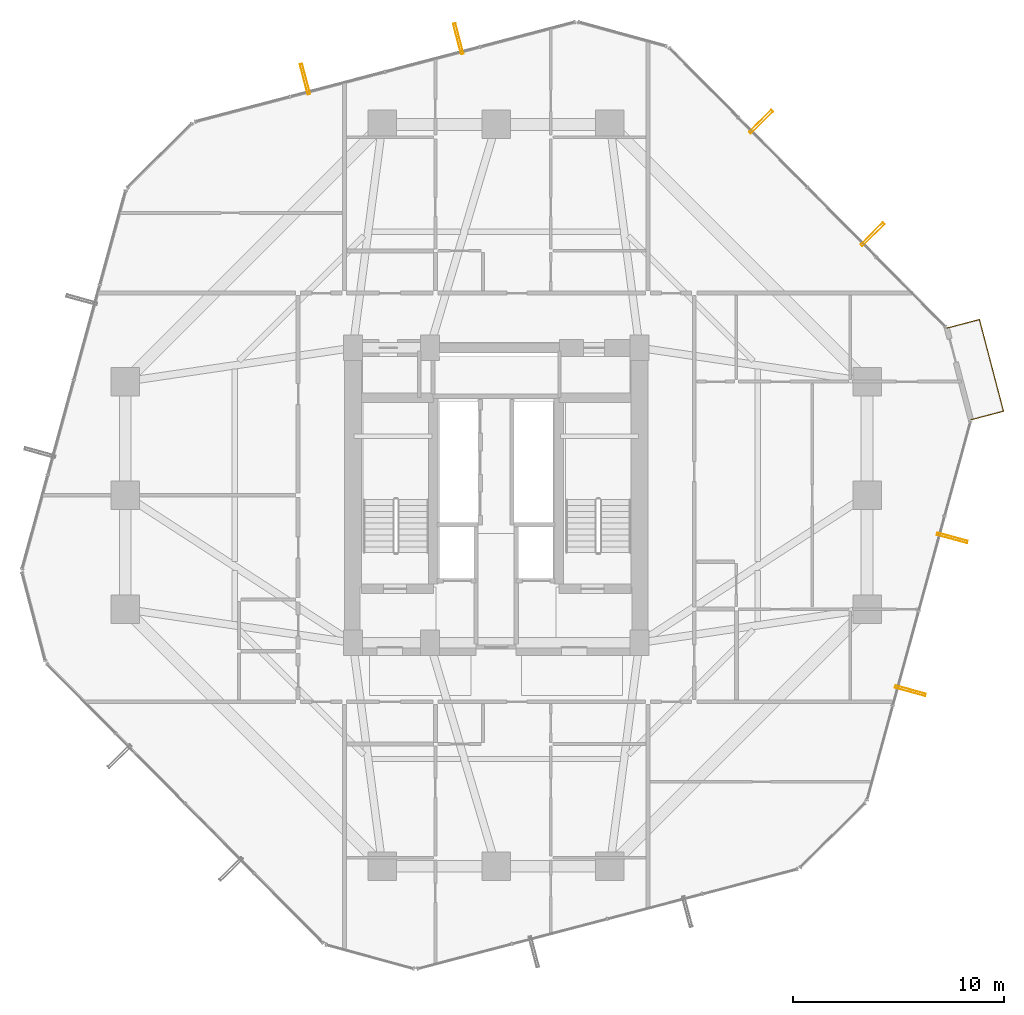
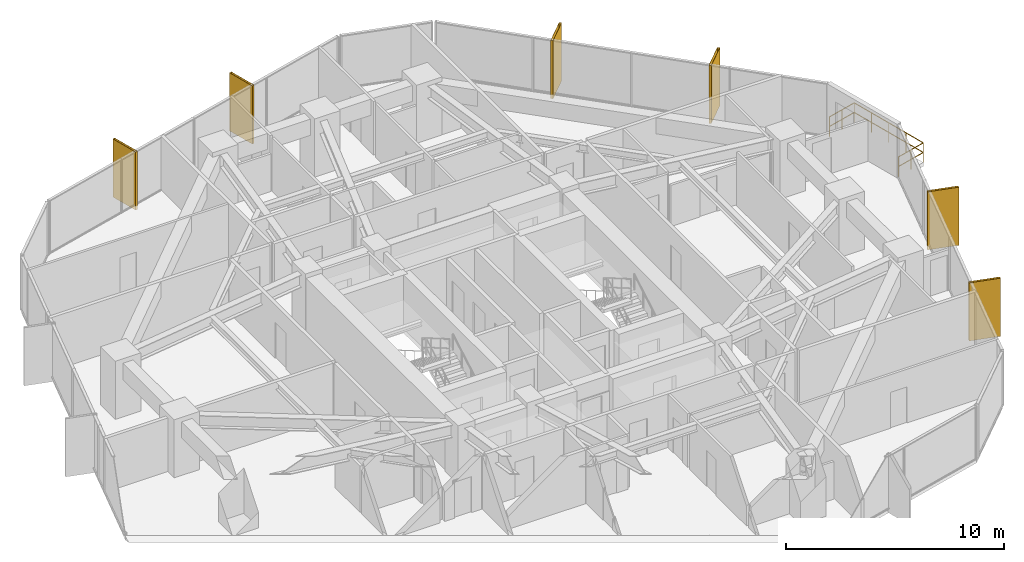
# One storey, part 39 of 39: 6 shading devices, 1 railing.
"""IFC4 building model written with IfcOpenShell, lengths in metres."""

import ifcopenshell
import ifcopenshell.guid

model = None  # the IFC model being written
_history = None  # IfcOwnerHistory: only IFC2X3 demands one
_inside = {}  # id of a spatial element -> (the spatial element, [elements in it])
_under = {}  # id of a project, library or spatial element -> (it, [spatial elements below it])
_declared = {}  # id of a project -> (the project, [libraries it declares])
_typed = {}  # id of a type object -> (the type object, [elements of that type])
_made_of = {}  # id of a material, layer set ... -> (it, [elements and type objects made of it])


def new_model(schema):
    """Start an empty IFC model of exactly this schema.

    Asked for "IFC4X3", IfcOpenShell would pick the latest addendum, in which some entities
    have other attributes; the version numbers below select the first issue.
    IFC2X3 requires an IfcOwnerHistory on every rooted entity: one is made here for all.
    """
    global model, _history
    if schema == "IFC4X3":
        model = ifcopenshell.file(schema_version=(4, 3, 0, 0))
    else:
        model = ifcopenshell.file(schema=schema)
    _inside.clear()
    _under.clear()
    _declared.clear()
    _typed.clear()
    _made_of.clear()
    _history = None
    if model.schema == "IFC2X3":
        org = make("IfcOrganization", Name="unknown")
        user = make(
            "IfcPersonAndOrganization",
            ThePerson=make("IfcPerson", FamilyName="unknown"),
            TheOrganization=org,
        )
        app = make(
            "IfcApplication",
            ApplicationDeveloper=org,
            Version="unknown",
            ApplicationFullName="unknown",
            ApplicationIdentifier="unknown",
        )
        _history = make(
            "IfcOwnerHistory",
            OwningUser=user,
            OwningApplication=app,
            ChangeAction="ADDED",
            CreationDate=0,
        )
    return model


def make(cls, **values):
    """One entity of the class cls with the attributes given. An attribute that is None is left unset."""
    return model.create_entity(
        cls, **{name: value for name, value in values.items() if value is not None}
    )


def rooted(cls, **values):
    """An entity with a GlobalId (a new one), such as an element, a storey or a relation."""
    return make(cls, GlobalId=ifcopenshell.guid.new(), OwnerHistory=_history, **values)


def si_unit(unit_type, name, prefix=None):
    """IfcSIUnit, for example si_unit("LENGTHUNIT", "METRE", prefix="MILLI")."""
    return make("IfcSIUnit", UnitType=unit_type, Prefix=prefix, Name=name)


def assignment(units):
    """IfcUnitAssignment: the units of a project."""
    return None if units is None else make("IfcUnitAssignment", Units=units)


def point(xyz):
    """IfcCartesianPoint."""
    return None if xyz is None else make("IfcCartesianPoint", Coordinates=xyz)


def direction(xyz):
    """IfcDirection."""
    return None if xyz is None else make("IfcDirection", DirectionRatios=xyz)


def frame(location, z_axis=None, x_axis=None):
    """IfcAxis2Placement3D, a coordinate frame: its origin and axes. An axis left out is left unset."""
    return make(
        "IfcAxis2Placement3D",
        Location=point(location),
        Axis=direction(z_axis),
        RefDirection=direction(x_axis),
    )


def frame_2d(location, x_axis=None):
    """IfcAxis2Placement2D, a coordinate frame in the plane: its origin and x axis."""
    return make(
        "IfcAxis2Placement2D", Location=point(location), RefDirection=direction(x_axis)
    )


def origin():
    """The frame at (0, 0, 0) with its axes left unset."""
    return frame((0.0, 0.0, 0.0))


def origin_2d():
    """The frame at (0, 0) in the plane with its x axis left unset."""
    return frame_2d((0.0, 0.0))


def place(relative_to, where):
    """IfcLocalPlacement: puts the frame where relative to a parent placement (None: the world)."""
    return make(
        "IfcLocalPlacement", PlacementRelTo=relative_to, RelativePlacement=where
    )


def context(
    kind, dimensions, precision=None, world=None, true_north=None, identifier=None
):
    """IfcGeometricRepresentationContext, for example the 3D "Model" context."""
    return make(
        "IfcGeometricRepresentationContext",
        ContextIdentifier=identifier,
        ContextType=kind,
        CoordinateSpaceDimension=dimensions,
        Precision=precision,
        WorldCoordinateSystem=world,
        TrueNorth=true_north,
    )


def subcontext(parent, identifier, kind, view, scale=None):
    """IfcGeometricRepresentationSubContext, for example "Body" below "Model"."""
    return make(
        "IfcGeometricRepresentationSubContext",
        ContextIdentifier=identifier,
        ContextType=kind,
        ParentContext=parent,
        TargetScale=scale,
        TargetView=view,
    )


def project(units=None, contexts=None):
    """IfcProject with its units and contexts."""
    return rooted(
        "IfcProject",
        Name="project",
        RepresentationContexts=contexts,
        UnitsInContext=assignment(units),
    )


def spatial(cls, under=None, at=None, **own):
    """A site, building, storey or space (cls), placed at a placement, below another one or the project."""
    s = rooted(cls, ObjectPlacement=at, **own)
    if under is not None:
        _under.setdefault(under.id(), (under, []))[1].append(s)
    return s


def profile(cls, at=None, kind="AREA", **sizes):
    """A parametric profile (cls). Its sizes go by their IFC names, for example OverallWidth=200.0."""
    return make(cls, ProfileType=kind, Position=at, **sizes)


def hollow_rectangle(**sizes):
    """IfcRectangleHollowProfileDef."""
    return profile("IfcRectangleHollowProfileDef", **sizes)


def circle(**sizes):
    """IfcCircleProfileDef."""
    return profile("IfcCircleProfileDef", **sizes)


def extrude(swept, where, along, depth):
    """IfcExtrudedAreaSolid: the profile swept, set in the frame where, extruded along a direction by depth."""
    return make(
        "IfcExtrudedAreaSolid",
        SweptArea=swept,
        Position=where,
        ExtrudedDirection=direction(along),
        Depth=depth,
    )


def shape(context_of_items, identifier, shape_type, items):
    """IfcShapeRepresentation: the items that make up one representation, for example the "Body"."""
    return make(
        "IfcShapeRepresentation",
        ContextOfItems=context_of_items,
        RepresentationIdentifier=identifier,
        RepresentationType=shape_type,
        Items=items,
    )


def material(Name=None, Category=None):
    """IfcMaterial."""
    return make("IfcMaterial", Name=Name, Category=Category)


def material_profile(
    of_material, cross_section, Name=None, Category=None, Priority=None
):
    """IfcMaterialProfile: a cross section and its material."""
    return make(
        "IfcMaterialProfile",
        Name=Name,
        Material=of_material,
        Profile=cross_section,
        Priority=Priority,
        Category=Category,
    )


def profile_set(profiles, Name=None, composite=None):
    """IfcMaterialProfileSet."""
    return make(
        "IfcMaterialProfileSet",
        Name=Name,
        MaterialProfiles=profiles,
        CompositeProfile=composite,
    )


def made_of(thing, what):
    """Note that an element or type object is made of a material, layer set ...; save() writes the relation."""
    if what is not None:
        _made_of.setdefault(what.id(), (what, []))[1].append(thing)
    return thing


def type_object(cls, material=None, **own):
    """A type object (cls), such as IfcWallType, which elements share."""
    return made_of(rooted(cls, **own), material)


def element(
    cls,
    number,
    at=None,
    inside=None,
    cuts=None,
    type_object=None,
    material=None,
    context=None,
    identifier="Body",
    shape_type=None,
    held_by="IfcProductDefinitionShape",
    body=None,
    shapes=None,
    **own,
):
    """One element of the class cls, such as IfcWall. Its Tag is "e" and its number.

    at: its placement. inside: the storey or other place that contains it. cuts: it is an
    opening in that element (IfcRelVoidsElement). A single representation is given by context,
    identifier, shape_type and body (its items); several are given by shapes. held_by: the class
    of the entity that holds the representations. save() writes the other relations.
    """
    e = rooted(cls, Tag="e%d" % number, ObjectPlacement=at, **own)
    if body is not None:
        shapes = [shape(context, identifier, shape_type, body)]
    if shapes is not None:
        e.Representation = make(held_by, Representations=shapes)
    if inside is not None:
        _inside.setdefault(inside.id(), (inside, []))[1].append(e)
    if cuts is not None:
        rooted(
            "IfcRelVoidsElement", RelatingBuildingElement=cuts, RelatedOpeningElement=e
        )
    if type_object is not None:
        _typed.setdefault(type_object.id(), (type_object, []))[1].append(e)
    return made_of(e, material)


def aggregate(whole, parts):
    """IfcRelAggregates: a whole, such as a stair, and the parts it consists of."""
    return rooted("IfcRelAggregates", RelatingObject=whole, RelatedObjects=parts)


def save(model, path):
    """Write the relations noted so far, then the file.

    IfcRelAggregates (storeys below a building ...), IfcRelContainedInSpatialStructure (elements
    in a storey), IfcRelDefinesByType, IfcRelAssociatesMaterial and IfcRelDeclares: one each for
    every whole, place, type object, material and project.
    """
    for whole, parts in _under.values():
        aggregate(whole, parts)
    for where, things in _inside.values():
        rooted(
            "IfcRelContainedInSpatialStructure",
            RelatedElements=things,
            RelatingStructure=where,
        )
    for kind, things in _typed.values():
        rooted("IfcRelDefinesByType", RelatedObjects=things, RelatingType=kind)
    for what, things in _made_of.values():
        rooted("IfcRelAssociatesMaterial", RelatedObjects=things, RelatingMaterial=what)
    for by, libraries in _declared.values():
        rooted("IfcRelDeclares", RelatingContext=by, RelatedDefinitions=libraries)
    model.write(path)


model = new_model("IFC4")

# Units and contexts
model_context = context("Model", 3, precision=1e-05, world=origin(), true_north=direction((0.0, 1.0)))
body_context = subcontext(model_context, "Body", "Model", "MODEL_VIEW")
ifc_project = project(units=[si_unit("LENGTHUNIT", "METRE"), si_unit("AREAUNIT", "SQUARE_METRE"), si_unit("VOLUMEUNIT", "CUBIC_METRE"), si_unit("PLANEANGLEUNIT", "RADIAN"), si_unit("MASSUNIT", "GRAM", prefix="KILO")], contexts=[model_context])

# Site, building, storey
site_placement = place(None, origin())
site = spatial("IfcSite", under=ifc_project, at=site_placement, CompositionType="ELEMENT")
building_placement = place(site_placement, origin())
building = spatial("IfcBuilding", under=site, at=building_placement, Name="Veraguas Prism Commons", CompositionType="ELEMENT")
storey_placement = place(building_placement, frame((0.0, 0.0, 73.85009765625)))
storey = spatial("IfcBuildingStorey", under=building, at=storey_placement, Name="L20", CompositionType="ELEMENT", Elevation=73.85009765625)

# Shading devices
ifc_material_1 = material(Name="Anodised aluminium EN AW-6063 T6", Category="aluminium")
ifc_material_profile = material_profile(ifc_material_1, hollow_rectangle(XDim=0.1201171875, YDim=1.489990234375, WallThickness=0.006103515625, at=origin_2d()), Name="FIN120X1490X6")
ifc_profile_set = profile_set([ifc_material_profile], Name="Anodised aluminium EN AW-6063 T6")
shading_device_type = type_object("IfcShadingDeviceType", Name="Deep Pale-Metal Vertical Solar Fin 120x1490", PredefinedType="USERDEFINED", material=ifc_profile_set)
for number, where, z_axis, x_axis, name in (
    (1, (41.86328125, 36.38623046875, -0.22998046875), (0.0, 0.0, 1.0), (-0.703395943389, 0.710798246217, 0.0), "Vertical Pale-Metal Solar Fin L20-F1A"),
    (2, (36.572509765625, 41.732666015625, -0.22998046875), (0.0, 0.0, 1.0), (-0.703395943389, 0.710798246217, 0.0), "Vertical Pale-Metal Solar Fin L20-F1B"),
    (3, (22.204833984375, 45.6630859375, -0.22998046875), (0.0, 0.0, 1.0), (-0.967267752776, -0.253757944585, 0.0), "Vertical Pale-Metal Solar Fin L20-F2A"),
    (4, (14.929443359375, 43.75439453125, -0.22998046875), (0.0, 0.0, 1.0), (-0.967267752776, -0.253757944585, 0.0), "Vertical Pale-Metal Solar Fin L20-F2B"),
    (5, (43.658447265625, 14.72314453125, -0.22998046875), (0.0, 0.0, 1.0), (0.263876416904, 0.964556497361, 0.0), "Vertical Pale-Metal Solar Fin L20-F6A"),
    (6, (45.643310546875, 21.97802734375, -0.22998046875), (0.0, 0.0, 1.0), (0.263876416904, 0.964556497361, 0.0), "Vertical Pale-Metal Solar Fin L20-F6B"),
):
    element("IfcShadingDevice", number, at=place(storey_placement, frame(where, z_axis=z_axis, x_axis=x_axis)), inside=storey, type_object=shading_device_type, Name=name, ObjectType="FIN", PredefinedType="USERDEFINED", context=body_context, shape_type="SweptSolid", body=[
        extrude(hollow_rectangle(XDim=0.1201171875, YDim=1.489990234375, WallThickness=0.006103515625, at=origin_2d()), origin(), (0.0, 0.0, 1.0), 3.25),
    ])

# Railing
ifc_material_2 = material(Name="Stainless steel AISI 316", Category="steel")
railing_type = type_object("IfcRailingType", Name="Loggia and Sky Pool Glazed Balustrade 1120", PredefinedType="BALUSTRADE", material=ifc_material_2)
railing_placement = place(storey_placement, frame((46.52880859375, 27.584228515625, 0.0)))
element("IfcRailing", 7, at=railing_placement, inside=storey, type_object=railing_type, Name="Recessed Corner Loggia L20-C1 Guard", PredefinedType="BALUSTRADE", context=body_context, shape_type="SweptSolid", body=[
    extrude(circle(Radius=0.02392578125, at=origin_2d()), frame((0.0, 0.0, 1.09619140625), z_axis=(0.967267959462, 0.253757156742, 0.0), x_axis=(-0.253757156742, 0.967267959462, 0.0)), (0.0, 0.0, 1.0), 1.60009765625),
    extrude(circle(Radius=0.02392578125, at=origin_2d()), frame((0.0, 0.0, 0.56005859375), z_axis=(0.967267959462, 0.253757156742, 0.0), x_axis=(-0.253757156742, 0.967267959462, 0.0)), (0.0, 0.0, 1.0), 1.60009765625),
    extrude(circle(Radius=0.02392578125, at=origin_2d()), frame((1.547607421875, 0.406005859375, 1.09619140625), z_axis=(-0.253740148862, 0.967272421222, 0.0), x_axis=(-0.967272421222, -0.253740148862, 0.0)), (0.0, 0.0, 1.0), 4.5),
    extrude(circle(Radius=0.02392578125, at=origin_2d()), frame((1.547607421875, 0.406005859375, 0.56005859375), z_axis=(-0.253740148862, 0.967272421222, 0.0), x_axis=(-0.967272421222, -0.253740148862, 0.0)), (0.0, 0.0, 1.0), 4.5),
    extrude(circle(Radius=0.02392578125, at=origin_2d()), frame((0.40576171875, 4.7587890625, 1.09619140625), z_axis=(-0.967267959462, -0.253757156742, 0.0), x_axis=(0.253757156742, -0.967267959462, 0.0)), (0.0, 0.0, 1.0), 1.60009765625),
    extrude(circle(Radius=0.02392578125, at=origin_2d()), frame((0.40576171875, 4.7587890625, 0.56005859375), z_axis=(-0.967267959462, -0.253757156742, 0.0), x_axis=(0.253757156742, -0.967267959462, 0.0)), (0.0, 0.0, 1.0), 1.60009765625),
    extrude(circle(Radius=0.02099609375, at=origin_2d()), origin(), (0.0, 0.0, 1.0), 1.072021484375),
    extrude(circle(Radius=0.02099609375, at=origin_2d()), frame((0.77392578125, 0.203125, 0.0)), (0.0, 0.0, 1.0), 1.072021484375),
    extrude(circle(Radius=0.02099609375, at=origin_2d()), frame((1.547607421875, 0.406005859375, 0.0)), (0.0, 0.0, 1.0), 1.072021484375),
    extrude(circle(Radius=0.02099609375, at=origin_2d()), frame((1.26220703125, 1.494140625, 0.0)), (0.0, 0.0, 1.0), 1.072021484375),
    extrude(circle(Radius=0.02099609375, at=origin_2d()), frame((0.9765625, 2.58251953125, 0.0)), (0.0, 0.0, 1.0), 1.072021484375),
    extrude(circle(Radius=0.02099609375, at=origin_2d()), frame((0.691162109375, 3.670654296875, 0.0)), (0.0, 0.0, 1.0), 1.072021484375),
    extrude(circle(Radius=0.02099609375, at=origin_2d()), frame((0.40576171875, 4.7587890625, 0.0)), (0.0, 0.0, 1.0), 1.072021484375),
    extrude(circle(Radius=0.02099609375, at=origin_2d()), frame((-0.3681640625, 4.5556640625, 0.0)), (0.0, 0.0, 1.0), 1.072021484375),
    extrude(circle(Radius=0.02099609375, at=origin_2d()), frame((-1.141845703125, 4.352783203125, 0.0)), (0.0, 0.0, 1.0), 1.072021484375),
])

save(model, "model.ifc")
